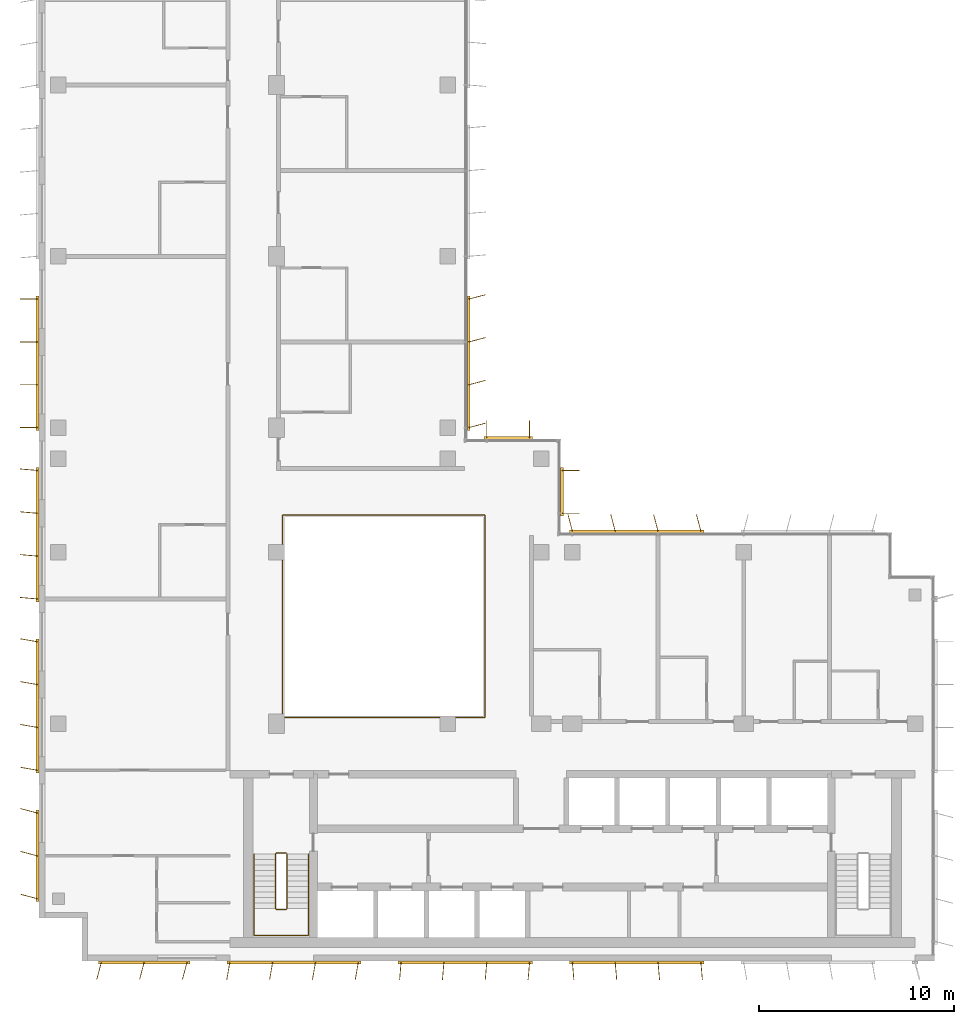
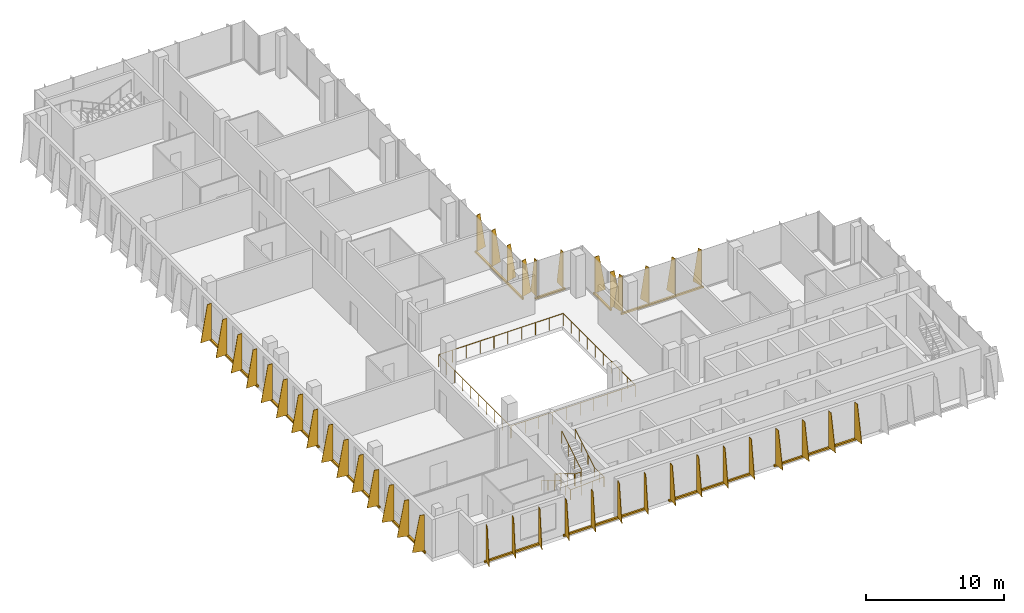
# One storey, part 13 of 15: 12 shading devices, 3 railings.
"""IFC4 building model written with IfcOpenShell, lengths in metres."""

from ifc_helpers import new_model, si_unit, direction, frame, origin, origin_2d, place, context, subcontext, project, spatial, polyline, rectangle, circle, outline, extrude, source, transform, mapped, material, layer, layer_set, type_object, element, save


model = new_model("IFC4")

# Units and contexts
model_context = context("Model", 3, precision=1e-05, world=origin(), true_north=direction((0.0, 1.0)))
body_context = subcontext(model_context, "Body", "Model", "MODEL_VIEW")
ifc_project = project(units=[si_unit("LENGTHUNIT", "METRE"), si_unit("AREAUNIT", "SQUARE_METRE"), si_unit("VOLUMEUNIT", "CUBIC_METRE"), si_unit("PLANEANGLEUNIT", "RADIAN"), si_unit("MASSUNIT", "GRAM", prefix="KILO")], contexts=[model_context])

# Site, building, storey
site_placement = place(None, origin())
site = spatial("IfcSite", under=ifc_project, at=site_placement, CompositionType="ELEMENT")
building_placement = place(site_placement, origin())
building = spatial("IfcBuilding", under=site, at=building_placement, Name="Kemantara Hotel Tower", CompositionType="ELEMENT")
storey_placement = place(building_placement, frame((0.0, 0.0, 294.39990234375)))
storey = spatial("IfcBuildingStorey", under=building, at=storey_placement, Name="L74", CompositionType="ELEMENT", Elevation=294.39990234375)

# Railings
ifc_material_1 = material(Name="Stainless steel and laminated glass balustrade", Category="steel")
railing_type_1 = type_object("IfcRailingType", Name="ATRIUM GUARD 1100", PredefinedType="GUARDRAIL", material=ifc_material_1)
railing_1_placement = place(storey_placement, frame((12.56005859375, 12.5, 0.0)))
element("IfcRailing", 1, at=railing_1_placement, inside=storey, type_object=railing_type_1, Name="ATRIUM GUARD L74", PredefinedType="GUARDRAIL", context=body_context, shape_type="SweptSolid", body=[
    extrude(circle(Radius=0.02490234375, at=origin_2d()), frame((0.0, 0.0, 1.0751953125), z_axis=(1.0, 0.0, 0.0), x_axis=(0.0, 1.0, 0.0)), (0.0, 0.0, 1.0), 10.33984375),
    extrude(circle(Radius=0.02490234375, at=origin_2d()), frame((10.33984375, 0.0, 1.0751953125), z_axis=(0.0, 1.0, 0.0), x_axis=(-1.0, 0.0, 0.0)), (0.0, 0.0, 1.0), 10.39990234375),
    extrude(circle(Radius=0.02490234375, at=origin_2d()), frame((10.33984375, 10.39990234375, 1.0751953125), z_axis=(-1.0, 0.0, 0.0), x_axis=(0.0, -1.0, 0.0)), (0.0, 0.0, 1.0), 10.39990234375),
    extrude(circle(Radius=0.02490234375, at=origin_2d()), frame((-0.06005859375, 10.39990234375, 1.0751953125), z_axis=(0.0, -1.0, 0.0), x_axis=(1.0, 0.0, 0.0)), (0.0, 0.0, 1.0), 10.39990234375),
    extrude(circle(Radius=0.02001953125, at=origin_2d()), origin(), (0.0, 0.0, 1.0), 1.050048828125),
    extrude(circle(Radius=0.02001953125, at=origin_2d()), frame((1.14892578125, 0.0, 0.0)), (0.0, 0.0, 1.0), 1.050048828125),
    extrude(circle(Radius=0.02001953125, at=origin_2d()), frame((2.2978515625, 0.0, 0.0)), (0.0, 0.0, 1.0), 1.050048828125),
    extrude(circle(Radius=0.02001953125, at=origin_2d()), frame((3.446533203125, 0.0, 0.0)), (0.0, 0.0, 1.0), 1.050048828125),
    extrude(circle(Radius=0.02001953125, at=origin_2d()), frame((4.595458984375, 0.0, 0.0)), (0.0, 0.0, 1.0), 1.050048828125),
    extrude(circle(Radius=0.02001953125, at=origin_2d()), frame((5.744384765625, 0.0, 0.0)), (0.0, 0.0, 1.0), 1.050048828125),
    extrude(circle(Radius=0.02001953125, at=origin_2d()), frame((6.893310546875, 0.0, 0.0)), (0.0, 0.0, 1.0), 1.050048828125),
    extrude(circle(Radius=0.02001953125, at=origin_2d()), frame((8.0419921875, 0.0, 0.0)), (0.0, 0.0, 1.0), 1.050048828125),
    extrude(circle(Radius=0.02001953125, at=origin_2d()), frame((9.19091796875, 0.0, 0.0)), (0.0, 0.0, 1.0), 1.050048828125),
    extrude(circle(Radius=0.02001953125, at=origin_2d()), frame((10.33984375, 0.0, 0.0)), (0.0, 0.0, 1.0), 1.050048828125),
    extrude(circle(Radius=0.02001953125, at=origin_2d()), frame((10.33984375, 1.155517578125, 0.0)), (0.0, 0.0, 1.0), 1.050048828125),
    extrude(circle(Radius=0.02001953125, at=origin_2d()), frame((10.33984375, 2.31103515625, 0.0)), (0.0, 0.0, 1.0), 1.050048828125),
    extrude(circle(Radius=0.02001953125, at=origin_2d()), frame((10.33984375, 3.466552734375, 0.0)), (0.0, 0.0, 1.0), 1.050048828125),
    extrude(circle(Radius=0.02001953125, at=origin_2d()), frame((10.33984375, 4.6220703125, 0.0)), (0.0, 0.0, 1.0), 1.050048828125),
    extrude(circle(Radius=0.02001953125, at=origin_2d()), frame((10.33984375, 5.77783203125, 0.0)), (0.0, 0.0, 1.0), 1.050048828125),
    extrude(circle(Radius=0.02001953125, at=origin_2d()), frame((10.33984375, 6.933349609375, 0.0)), (0.0, 0.0, 1.0), 1.050048828125),
    extrude(circle(Radius=0.02001953125, at=origin_2d()), frame((10.33984375, 8.0888671875, 0.0)), (0.0, 0.0, 1.0), 1.050048828125),
    extrude(circle(Radius=0.02001953125, at=origin_2d()), frame((10.33984375, 9.244384765625, 0.0)), (0.0, 0.0, 1.0), 1.050048828125),
    extrude(circle(Radius=0.02001953125, at=origin_2d()), frame((10.33984375, 10.39990234375, 0.0)), (0.0, 0.0, 1.0), 1.050048828125),
    extrude(circle(Radius=0.02001953125, at=origin_2d()), frame((9.184326171875, 10.39990234375, 0.0)), (0.0, 0.0, 1.0), 1.050048828125),
    extrude(circle(Radius=0.02001953125, at=origin_2d()), frame((8.02880859375, 10.39990234375, 0.0)), (0.0, 0.0, 1.0), 1.050048828125),
    extrude(circle(Radius=0.02001953125, at=origin_2d()), frame((6.873291015625, 10.39990234375, 0.0)), (0.0, 0.0, 1.0), 1.050048828125),
    extrude(circle(Radius=0.02001953125, at=origin_2d()), frame((5.7177734375, 10.39990234375, 0.0)), (0.0, 0.0, 1.0), 1.050048828125),
    extrude(circle(Radius=0.02001953125, at=origin_2d()), frame((4.56201171875, 10.39990234375, 0.0)), (0.0, 0.0, 1.0), 1.050048828125),
    extrude(circle(Radius=0.02001953125, at=origin_2d()), frame((3.406494140625, 10.39990234375, 0.0)), (0.0, 0.0, 1.0), 1.050048828125),
    extrude(circle(Radius=0.02001953125, at=origin_2d()), frame((2.2509765625, 10.39990234375, 0.0)), (0.0, 0.0, 1.0), 1.050048828125),
    extrude(circle(Radius=0.02001953125, at=origin_2d()), frame((1.095458984375, 10.39990234375, 0.0)), (0.0, 0.0, 1.0), 1.050048828125),
    extrude(circle(Radius=0.02001953125, at=origin_2d()), frame((-0.06005859375, 10.39990234375, 0.0)), (0.0, 0.0, 1.0), 1.050048828125),
    extrude(circle(Radius=0.02001953125, at=origin_2d()), frame((-0.06005859375, 9.244384765625, 0.0)), (0.0, 0.0, 1.0), 1.050048828125),
    extrude(circle(Radius=0.02001953125, at=origin_2d()), frame((-0.06005859375, 8.0888671875, 0.0)), (0.0, 0.0, 1.0), 1.050048828125),
    extrude(circle(Radius=0.02001953125, at=origin_2d()), frame((-0.06005859375, 6.933349609375, 0.0)), (0.0, 0.0, 1.0), 1.050048828125),
    extrude(circle(Radius=0.02001953125, at=origin_2d()), frame((-0.06005859375, 5.77783203125, 0.0)), (0.0, 0.0, 1.0), 1.050048828125),
    extrude(circle(Radius=0.02001953125, at=origin_2d()), frame((-0.06005859375, 4.6220703125, 0.0)), (0.0, 0.0, 1.0), 1.050048828125),
    extrude(circle(Radius=0.02001953125, at=origin_2d()), frame((-0.06005859375, 3.466552734375, 0.0)), (0.0, 0.0, 1.0), 1.050048828125),
    extrude(circle(Radius=0.02001953125, at=origin_2d()), frame((-0.06005859375, 2.31103515625, 0.0)), (0.0, 0.0, 1.0), 1.050048828125),
    extrude(circle(Radius=0.02001953125, at=origin_2d()), frame((-0.06005859375, 1.155517578125, 0.0)), (0.0, 0.0, 1.0), 1.050048828125),
    extrude(circle(Radius=0.02001953125, at=origin_2d()), frame((-0.06005859375, 0.0, 0.0)), (0.0, 0.0, 1.0), 1.050048828125),
])
ifc_material_2 = material(Name="Stainless steel balustrade", Category="steel")
railing_type_2 = type_object("IfcRailingType", Name="Stair guard 1100 mm", PredefinedType="GUARDRAIL", material=ifc_material_2)
railing_2_placement = place(storey_placement, frame((12.75, 5.5, 3.7001953125)))
element("IfcRailing", 2, at=railing_2_placement, inside=storey, type_object=railing_type_2, Name="L74 ST1 stair guard 1", PredefinedType="GUARDRAIL", context=body_context, shape_type="SweptSolid", body=[
    extrude(circle(Radius=0.02392578125, at=origin_2d()), frame((0.0, 0.0, 1.076171875), z_axis=(0.0, -0.857242210791, -0.514913383045), x_axis=(1.0, 0.0, 0.0)), (0.0, 0.0, 1.0), 3.266357421875),
    extrude(circle(Radius=0.02392578125, at=origin_2d()), frame((0.0, -2.800048828125, -0.60595703125), z_axis=(-0.274243871929, -0.274243871929, -0.92172696468), x_axis=(0.707106781187, -0.707106781187, 0.0)), (0.0, 0.0, 1.0), 0.1826171875),
    extrude(circle(Radius=0.02392578125, at=origin_2d()), frame((-0.050048828125, -2.85009765625, -0.77392578125), z_axis=(-1.0, 0.0, 0.0), x_axis=(0.0, -1.0, 0.0)), (0.0, 0.0, 1.0), 0.5),
    extrude(circle(Radius=0.02392578125, at=origin_2d()), frame((-0.550048828125, -2.85009765625, -0.77392578125), z_axis=(-0.707106781187, 0.707106781187, 0.0), x_axis=(-0.707106781187, -0.707106781187, 0.0)), (0.0, 0.0, 1.0), 0.07080078125),
    extrude(circle(Radius=0.02392578125, at=origin_2d()), frame((-0.60009765625, -2.800048828125, -0.77392578125), z_axis=(0.0, 0.857242210791, -0.514913383045), x_axis=(-1.0, 0.0, 0.0)), (0.0, 0.0, 1.0), 3.266357421875),
    extrude(circle(Radius=0.02392578125, at=origin_2d()), frame((-0.60009765625, 0.0, -2.4560546875), z_axis=(0.274243871929, 0.274243871929, -0.92172696468), x_axis=(-0.707106781187, 0.707106781187, 0.0)), (0.0, 0.0, 1.0), 0.1826171875),
    extrude(circle(Radius=0.02392578125, at=origin_2d()), frame((-0.550048828125, 0.050048828125, -2.6240234375), z_axis=(1.0, 0.0, 0.0), x_axis=(0.0, 1.0, 0.0)), (0.0, 0.0, 1.0), 0.5),
    extrude(circle(Radius=0.02099609375, at=origin_2d()), origin(), (0.0, 0.0, 1.0), 1.052001953125),
    extrude(circle(Radius=0.02099609375, at=origin_2d()), frame((0.0, -0.933349609375, -0.560546875)), (0.0, 0.0, 1.0), 1.052001953125),
    extrude(circle(Radius=0.02099609375, at=origin_2d()), frame((0.0, -1.86669921875, -1.121337890625)), (0.0, 0.0, 1.0), 1.052001953125),
    extrude(circle(Radius=0.02099609375, at=origin_2d()), frame((0.0, -2.800048828125, -1.681884765625)), (0.0, 0.0, 1.0), 1.052001953125),
    extrude(circle(Radius=0.02099609375, at=origin_2d()), frame((-0.050048828125, -2.85009765625, -1.85009765625)), (0.0, 0.0, 1.0), 1.052001953125),
    extrude(circle(Radius=0.02099609375, at=origin_2d()), frame((-0.550048828125, -2.85009765625, -1.85009765625)), (0.0, 0.0, 1.0), 1.052001953125),
    extrude(circle(Radius=0.02099609375, at=origin_2d()), frame((-0.60009765625, -2.800048828125, -1.85009765625)), (0.0, 0.0, 1.0), 1.052001953125),
    extrude(circle(Radius=0.02099609375, at=origin_2d()), frame((-0.60009765625, -1.86669921875, -2.41064453125)), (0.0, 0.0, 1.0), 1.052001953125),
    extrude(circle(Radius=0.02099609375, at=origin_2d()), frame((-0.60009765625, -0.933349609375, -2.971435546875)), (0.0, 0.0, 1.0), 1.052001953125),
    extrude(circle(Radius=0.02099609375, at=origin_2d()), frame((-0.60009765625, 0.0, -3.531982421875)), (0.0, 0.0, 1.0), 1.052001953125),
    extrude(circle(Radius=0.02099609375, at=origin_2d()), frame((-0.550048828125, 0.050048828125, -3.7001953125)), (0.0, 0.0, 1.0), 1.052001953125),
    extrude(circle(Radius=0.02099609375, at=origin_2d()), frame((-0.050048828125, 0.050048828125, -3.7001953125)), (0.0, 0.0, 1.0), 1.052001953125),
])
railing_type_3 = type_object("IfcRailingType", Name="Stair handrail 900 mm", PredefinedType="HANDRAIL", material=ifc_material_2)
railing_3_placement = place(storey_placement, frame((11.050048828125, 5.5, 0.168212890625)))
element("IfcRailing", 3, at=railing_3_placement, inside=storey, type_object=railing_type_3, Name="L74 ST1 stair handrail 1", PredefinedType="HANDRAIL", context=body_context, shape_type="SweptSolid", body=[
    extrude(circle(Radius=0.02392578125, at=origin_2d()), frame((0.0, 0.0, 0.8759765625), z_axis=(0.0, -0.857242210791, 0.514913383045), x_axis=(1.0, 0.0, 0.0)), (0.0, 0.0, 1.0), 3.266357421875),
    extrude(circle(Radius=0.02392578125, at=origin_2d()), frame((0.0, -2.800048828125, 2.5576171875), z_axis=(0.0, -1.0, 0.0), x_axis=(1.0, 0.0, 0.0)), (0.0, 0.0, 1.0), 1.3798828125),
    extrude(circle(Radius=0.02392578125, at=origin_2d()), frame((0.0, -4.179931640625, 2.5576171875), z_axis=(0.998200367801, 0.0, 0.059966871865), x_axis=(0.0, 1.0, 0.0)), (0.0, 0.0, 1.0), 2.80517578125),
    extrude(circle(Radius=0.02392578125, at=origin_2d()), frame((2.800048828125, -4.179931640625, 2.72607421875), z_axis=(0.0, 1.0, 0.0), x_axis=(-1.0, 0.0, 0.0)), (0.0, 0.0, 1.0), 1.3798828125),
    extrude(circle(Radius=0.02392578125, at=origin_2d()), frame((2.800048828125, -2.800048828125, 2.72607421875), z_axis=(0.0, 0.857242210791, 0.514913383045), x_axis=(-1.0, 0.0, 0.0)), (0.0, 0.0, 1.0), 3.266357421875),
    extrude(circle(Radius=0.02099609375, at=origin_2d()), origin(), (0.0, 0.0, 1.0), 0.851806640625),
    extrude(circle(Radius=0.02099609375, at=origin_2d()), frame((0.0, -0.933349609375, 0.560546875)), (0.0, 0.0, 1.0), 0.851806640625),
    extrude(circle(Radius=0.02099609375, at=origin_2d()), frame((0.0, -1.86669921875, 1.121337890625)), (0.0, 0.0, 1.0), 0.851806640625),
    extrude(circle(Radius=0.02099609375, at=origin_2d()), frame((0.0, -2.800048828125, 1.681884765625)), (0.0, 0.0, 1.0), 0.851806640625),
    extrude(circle(Radius=0.02099609375, at=origin_2d()), frame((0.0, -3.489990234375, 1.681884765625)), (0.0, 0.0, 1.0), 0.851806640625),
    extrude(circle(Radius=0.02099609375, at=origin_2d()), frame((0.0, -4.179931640625, 1.681884765625)), (0.0, 0.0, 1.0), 0.851806640625),
    extrude(circle(Radius=0.02099609375, at=origin_2d()), frame((0.933349609375, -4.179931640625, 1.738037109375)), (0.0, 0.0, 1.0), 0.851806640625),
    extrude(circle(Radius=0.02099609375, at=origin_2d()), frame((1.86669921875, -4.179931640625, 1.7939453125)), (0.0, 0.0, 1.0), 0.851806640625),
    extrude(circle(Radius=0.02099609375, at=origin_2d()), frame((2.800048828125, -4.179931640625, 1.85009765625)), (0.0, 0.0, 1.0), 0.851806640625),
    extrude(circle(Radius=0.02099609375, at=origin_2d()), frame((2.800048828125, -3.489990234375, 1.85009765625)), (0.0, 0.0, 1.0), 0.851806640625),
    extrude(circle(Radius=0.02099609375, at=origin_2d()), frame((2.800048828125, -2.800048828125, 1.85009765625)), (0.0, 0.0, 1.0), 0.851806640625),
    extrude(circle(Radius=0.02099609375, at=origin_2d()), frame((2.800048828125, -1.86669921875, 2.41064453125)), (0.0, 0.0, 1.0), 0.851806640625),
    extrude(circle(Radius=0.02099609375, at=origin_2d()), frame((2.800048828125, -0.933349609375, 2.971435546875)), (0.0, 0.0, 1.0), 0.851806640625),
    extrude(circle(Radius=0.02099609375, at=origin_2d()), frame((2.800048828125, 0.0, 3.531982421875)), (0.0, 0.0, 1.0), 0.851806640625),
])

# Shading devices
ifc_material_3 = material(Name="Perforated aluminium plate 4 mm bronze anodised", Category="aluminium")
ifc_layer_1 = layer(ifc_material_3, 0.0400390625)
ifc_layer_set_1 = layer_set([ifc_layer_1], Name="Perforated aluminium plate 4 mm bronze anodised")
shading_device_type_1 = type_object("IfcShadingDeviceType", Name="SCREEN FIN CASSETTE, 3 BLADES AT -15.0 DEG, 3200 HIGH", PredefinedType="USERDEFINED", material=ifc_layer_set_1)
shared_shape_1 = source(origin(), body_context, "Body", "SweptSolid", [
    extrude(rectangle(XDim=4.699951171875, YDim=0.14990234375, at=origin_2d()), frame((2.199951171875, -0.074951171875, -0.14990234375), z_axis=(0.0, 0.0, 1.0), x_axis=(1.0, 0.0, 0.0)), (0.0, 0.0, 1.0), 0.14990234375),
    extrude(outline(polyline([(0.0, 0.0), (0.89990234375, 0.0), (0.35009765625, 3.199951171875), (0.0, 3.199951171875), (0.0, 0.0)])), frame((0.019287109375, -0.080078125, 0.0), z_axis=(-0.966437683387, 0.256901156343, 0.0), x_axis=(-0.256901156343, -0.966437683387, 0.0)), (0.0, 0.0, 1.0), 0.039794921875),
    extrude(outline(polyline([(0.0, 0.0), (0.89990234375, 0.0), (0.35009765625, 3.199951171875), (0.0, 3.199951171875), (0.0, 0.0)])), frame((2.21923828125, -0.080078125, 0.0), z_axis=(-0.966437683387, 0.256901156343, 0.0), x_axis=(-0.256901156343, -0.966437683387, 0.0)), (0.0, 0.0, 1.0), 0.039794921875),
    extrude(outline(polyline([(0.0, 0.0), (0.89990234375, 0.0), (0.35009765625, 3.199951171875), (0.0, 3.199951171875), (0.0, 0.0)])), frame((4.41943359375, -0.080078125, 0.0), z_axis=(-0.966837822169, 0.255391122837, 0.0), x_axis=(-0.255391122837, -0.966837822169, 0.0)), (0.0, 0.0, 1.0), 0.0400390625),
])
for number, where, z_axis, x_axis, name in (
    (4, (0.0, 7.60009765625, 0.10009765625), (0.0, 0.0, 1.0), (0.0, -1.0, 0.0), "SCREEN FIN CASSETTE L74 T4-R05-7"),
    (5, (3.199951171875, 0.0, 0.10009765625), (0.0, 0.0, 1.0), (1.0, 0.0, 0.0), "SCREEN FIN CASSETTE L74 T4-R08-1"),
):
    element("IfcShadingDevice", number, at=place(storey_placement, frame(where, z_axis=z_axis, x_axis=x_axis)), inside=storey, type_object=shading_device_type_1, Name=name, ObjectType="SCREEN FIN", PredefinedType="USERDEFINED", context=body_context, shape_type="MappedRepresentation", body=[
        mapped(shared_shape_1, transform((0.0, 0.0, 0.0))),
    ])
ifc_layer_2 = layer(ifc_material_3, 0.0400390625)
ifc_layer_set_2 = layer_set([ifc_layer_2], Name="Perforated aluminium plate 4 mm bronze anodised")
shading_device_type_2 = type_object("IfcShadingDeviceType", Name="SCREEN FIN CASSETTE, 4 BLADES AT -10.0 DEG, 3200 HIGH", PredefinedType="USERDEFINED", material=ifc_layer_set_2)
shared_shape_2 = source(origin(), body_context, "Body", "SweptSolid", [
    extrude(rectangle(XDim=6.89990234375, YDim=0.14990234375, at=origin_2d()), frame((3.300048828125, -0.074951171875, -0.14990234375), z_axis=(0.0, 0.0, 1.0), x_axis=(1.0, 0.0, 0.0)), (0.0, 0.0, 1.0), 0.14990234375),
    extrude(outline(polyline([(0.0, 0.0), (0.89990234375, 0.0), (0.35009765625, 3.199951171875), (0.0, 3.199951171875), (0.0, 0.0)])), frame((0.019775390625, -0.078369140625, 0.0), z_axis=(-0.985389793052, 0.170314285219, 0.0), x_axis=(-0.170314285219, -0.985389793052, 0.0)), (0.0, 0.0, 1.0), 0.0400390625),
    extrude(outline(polyline([(0.0, 0.0), (0.89990234375, 0.0), (0.35009765625, 3.199951171875), (0.0, 3.199951171875), (0.0, 0.0)])), frame((2.2197265625, -0.078369140625, 0.0), z_axis=(-0.98521175482, 0.171341174751, 0.0), x_axis=(-0.171341174751, -0.98521175482, 0.0)), (0.0, 0.0, 1.0), 0.039794921875),
    extrude(outline(polyline([(0.0, 0.0), (0.89990234375, 0.0), (0.35009765625, 3.199951171875), (0.0, 3.199951171875), (0.0, 0.0)])), frame((4.419677734375, -0.078369140625, 0.0), z_axis=(-0.98521175482, 0.171341174751, 0.0), x_axis=(-0.171341174751, -0.98521175482, 0.0)), (0.0, 0.0, 1.0), 0.039794921875),
    extrude(outline(polyline([(0.0, 0.0), (0.89990234375, 0.0), (0.35009765625, 3.199951171875), (0.0, 3.199951171875), (0.0, 0.0)])), frame((6.61962890625, -0.078369140625, 0.0), z_axis=(-0.98521175482, 0.171341174751, 0.0), x_axis=(-0.171341174751, -0.98521175482, 0.0)), (0.0, 0.0, 1.0), 0.039794921875),
])
for number, where, z_axis, x_axis, name in (
    (6, (0.0, 16.39990234375, 0.10009765625), (0.0, 0.0, 1.0), (0.0, -1.0, 0.0), "SCREEN FIN CASSETTE L74 T4-R05-6"),
    (7, (9.800048828125, 0.0, 0.10009765625), (0.0, 0.0, 1.0), (1.0, 0.0, 0.0), "SCREEN FIN CASSETTE L74 T4-R08-2"),
):
    element("IfcShadingDevice", number, at=place(storey_placement, frame(where, z_axis=z_axis, x_axis=x_axis)), inside=storey, type_object=shading_device_type_2, Name=name, ObjectType="SCREEN FIN", PredefinedType="USERDEFINED", context=body_context, shape_type="MappedRepresentation", body=[
        mapped(shared_shape_2, transform((0.0, 0.0, 0.0))),
    ])
ifc_layer_3 = layer(ifc_material_3, 0.0400390625)
ifc_layer_set_3 = layer_set([ifc_layer_3], Name="Perforated aluminium plate 4 mm bronze anodised")
shading_device_type_3 = type_object("IfcShadingDeviceType", Name="SCREEN FIN CASSETTE, 4 BLADES AT -5.0 DEG, 3200 HIGH", PredefinedType="USERDEFINED", material=ifc_layer_set_3)
shared_shape_3 = source(origin(), body_context, "Body", "SweptSolid", [
    extrude(rectangle(XDim=6.89990234375, YDim=0.14990234375, at=origin_2d()), frame((3.300048828125, -0.074951171875, -0.14990234375), z_axis=(0.0, 0.0, 1.0), x_axis=(1.0, 0.0, 0.0)), (0.0, 0.0, 1.0), 0.14990234375),
    extrude(outline(polyline([(0.0, 0.0), (0.89990234375, 0.0), (0.35009765625, 3.199951171875), (0.0, 3.199951171875), (0.0, 0.0)])), frame((0.02001953125, -0.07666015625, 0.0), z_axis=(-0.996376129781, 0.085056498884, 0.0), x_axis=(-0.085056498884, -0.996376129781, 0.0)), (0.0, 0.0, 1.0), 0.040283203125),
    extrude(outline(polyline([(0.0, 0.0), (0.89990234375, 0.0), (0.35009765625, 3.199951171875), (0.0, 3.199951171875), (0.0, 0.0)])), frame((2.219970703125, -0.07666015625, 0.0), z_axis=(-0.996331773833, 0.085574508182, 0.0), x_axis=(-0.085574508182, -0.996331773833, 0.0)), (0.0, 0.0, 1.0), 0.0400390625),
    extrude(outline(polyline([(0.0, 0.0), (0.89990234375, 0.0), (0.35009765625, 3.199951171875), (0.0, 3.199951171875), (0.0, 0.0)])), frame((4.419921875, -0.07666015625, 0.0), z_axis=(-0.996331773833, 0.085574508182, 0.0), x_axis=(-0.085574508182, -0.996331773833, 0.0)), (0.0, 0.0, 1.0), 0.0400390625),
    extrude(outline(polyline([(0.0, 0.0), (0.89990234375, 0.0), (0.35009765625, 3.199951171875), (0.0, 3.199951171875), (0.0, 0.0)])), frame((6.619873046875, -0.07666015625, 0.0), z_axis=(-0.996331773833, 0.085574508182, 0.0), x_axis=(-0.085574508182, -0.996331773833, 0.0)), (0.0, 0.0, 1.0), 0.0400390625),
])
for number, where, z_axis, x_axis, name in (
    (8, (0.0, 25.199951171875, 0.10009765625), (0.0, 0.0, 1.0), (0.0, -1.0, 0.0), "SCREEN FIN CASSETTE L74 T4-R05-5"),
    (9, (18.60009765625, 0.0, 0.10009765625), (0.0, 0.0, 1.0), (1.0, 0.0, 0.0), "SCREEN FIN CASSETTE L74 T4-R08-3"),
):
    element("IfcShadingDevice", number, at=place(storey_placement, frame(where, z_axis=z_axis, x_axis=x_axis)), inside=storey, type_object=shading_device_type_3, Name=name, ObjectType="SCREEN FIN", PredefinedType="USERDEFINED", context=body_context, shape_type="MappedRepresentation", body=[
        mapped(shared_shape_3, transform((0.0, 0.0, 0.0))),
    ])
ifc_layer_4 = layer(ifc_material_3, 0.0400390625)
ifc_layer_set_4 = layer_set([ifc_layer_4], Name="Perforated aluminium plate 4 mm bronze anodised")
shading_device_type_4 = type_object("IfcShadingDeviceType", Name="SCREEN FIN CASSETTE, 4 BLADES AT +0.0 DEG, 3200 HIGH", PredefinedType="USERDEFINED", material=ifc_layer_set_4)
shared_shape_4 = source(origin(), body_context, "Body", "SweptSolid", [
    extrude(rectangle(XDim=6.89990234375, YDim=0.14990234375, at=origin_2d()), frame((3.300048828125, -0.074951171875, -0.14990234375), z_axis=(0.0, 0.0, 1.0), x_axis=(1.0, 0.0, 0.0)), (0.0, 0.0, 1.0), 0.14990234375),
    extrude(outline(polyline([(0.0, 0.0), (0.89990234375, 0.0), (0.35009765625, 3.199951171875), (0.0, 3.199951171875), (0.0, 0.0)])), frame((0.02001953125, -0.074951171875, 0.0), z_axis=(-1.0, 0.0, 0.0), x_axis=(0.0, -1.0, 0.0)), (0.0, 0.0, 1.0), 0.0400390625),
    extrude(outline(polyline([(0.0, 0.0), (0.89990234375, 0.0), (0.35009765625, 3.199951171875), (0.0, 3.199951171875), (0.0, 0.0)])), frame((2.219970703125, -0.074951171875, 0.0), z_axis=(-1.0, 0.0, 0.0), x_axis=(0.0, -1.0, 0.0)), (0.0, 0.0, 1.0), 0.0400390625),
    extrude(outline(polyline([(0.0, 0.0), (0.89990234375, 0.0), (0.35009765625, 3.199951171875), (0.0, 3.199951171875), (0.0, 0.0)])), frame((4.419921875, -0.074951171875, 0.0), z_axis=(-1.0, 0.0, 0.0), x_axis=(0.0, -1.0, 0.0)), (0.0, 0.0, 1.0), 0.0400390625),
    extrude(outline(polyline([(0.0, 0.0), (0.89990234375, 0.0), (0.35009765625, 3.199951171875), (0.0, 3.199951171875), (0.0, 0.0)])), frame((6.6201171875, -0.074951171875, 0.0), z_axis=(-1.0, 0.0, 0.0), x_axis=(0.0, -1.0, 0.0)), (0.0, 0.0, 1.0), 0.0400390625),
])
shading_device_1_placement = place(storey_placement, frame((0.0, 34.0, 0.10009765625), z_axis=(0.0, 0.0, 1.0), x_axis=(0.0, -1.0, 0.0)))
element("IfcShadingDevice", 10, at=shading_device_1_placement, inside=storey, type_object=shading_device_type_4, Name="SCREEN FIN CASSETTE L74 T4-R05-4", ObjectType="SCREEN FIN", PredefinedType="USERDEFINED", context=body_context, shape_type="MappedRepresentation", body=[
    mapped(shared_shape_4, transform((0.0, 0.0, 0.0))),
])
ifc_layer_5 = layer(ifc_material_3, 0.0400390625)
ifc_layer_set_5 = layer_set([ifc_layer_5], Name="Perforated aluminium plate 4 mm bronze anodised")
shading_device_type_5 = type_object("IfcShadingDeviceType", Name="SCREEN FIN CASSETTE, 4 BLADES AT +5.0 DEG, 3200 HIGH", PredefinedType="USERDEFINED", material=ifc_layer_set_5)
shared_shape_5 = source(origin(), body_context, "Body", "SweptSolid", [
    extrude(rectangle(XDim=6.89990234375, YDim=0.14990234375, at=origin_2d()), frame((3.300048828125, -0.074951171875, -0.14990234375), z_axis=(0.0, 0.0, 1.0), x_axis=(1.0, 0.0, 0.0)), (0.0, 0.0, 1.0), 0.14990234375),
    extrude(outline(polyline([(0.0, 0.0), (0.89990234375, 0.0), (0.35009765625, 3.199951171875), (0.0, 3.199951171875), (0.0, 0.0)])), frame((0.02001953125, -0.0732421875, 0.0), z_axis=(-0.996376129781, -0.085056498884, 0.0), x_axis=(0.085056498884, -0.996376129781, 0.0)), (0.0, 0.0, 1.0), 0.040283203125),
    extrude(outline(polyline([(0.0, 0.0), (0.89990234375, 0.0), (0.35009765625, 3.199951171875), (0.0, 3.199951171875), (0.0, 0.0)])), frame((2.219970703125, -0.0732421875, 0.0), z_axis=(-0.996331773833, -0.085574508182, 0.0), x_axis=(0.085574508182, -0.996331773833, 0.0)), (0.0, 0.0, 1.0), 0.0400390625),
    extrude(outline(polyline([(0.0, 0.0), (0.89990234375, 0.0), (0.35009765625, 3.199951171875), (0.0, 3.199951171875), (0.0, 0.0)])), frame((4.419921875, -0.0732421875, 0.0), z_axis=(-0.996331773833, -0.085574508182, 0.0), x_axis=(0.085574508182, -0.996331773833, 0.0)), (0.0, 0.0, 1.0), 0.0400390625),
    extrude(outline(polyline([(0.0, 0.0), (0.89990234375, 0.0), (0.35009765625, 3.199951171875), (0.0, 3.199951171875), (0.0, 0.0)])), frame((6.619873046875, -0.0732421875, 0.0), z_axis=(-0.996331773833, -0.085574508182, 0.0), x_axis=(0.085574508182, -0.996331773833, 0.0)), (0.0, 0.0, 1.0), 0.0400390625),
])
shading_device_2_placement = place(storey_placement, frame((27.39990234375, 0.0, 0.10009765625), z_axis=(0.0, 0.0, 1.0), x_axis=(1.0, 0.0, 0.0)))
element("IfcShadingDevice", 11, at=shading_device_2_placement, inside=storey, type_object=shading_device_type_5, Name="SCREEN FIN CASSETTE L74 T4-R08-4", ObjectType="SCREEN FIN", PredefinedType="USERDEFINED", context=body_context, shape_type="MappedRepresentation", body=[
    mapped(shared_shape_5, transform((0.0, 0.0, 0.0))),
])
ifc_layer_6 = layer(ifc_material_3, 0.0400390625)
ifc_layer_set_6 = layer_set([ifc_layer_6], Name="Perforated aluminium plate 4 mm bronze anodised")
shading_device_type_6 = type_object("IfcShadingDeviceType", Name="SCREEN FIN CASSETTE, 4 BLADES AT +15.0 DEG, 3200 HIGH", PredefinedType="USERDEFINED", material=ifc_layer_set_6)
shared_shape_6 = source(origin(), body_context, "Body", "SweptSolid", [
    extrude(rectangle(XDim=6.89990234375, YDim=0.14990234375, at=origin_2d()), frame((3.300048828125, -0.074951171875, -0.14990234375), z_axis=(0.0, 0.0, 1.0), x_axis=(1.0, 0.0, 0.0)), (0.0, 0.0, 1.0), 0.14990234375),
    extrude(outline(polyline([(0.0, 0.0), (0.89990234375, 0.0), (0.35009765625, 3.199951171875), (0.0, 3.199951171875), (0.0, 0.0)])), frame((0.019287109375, -0.06982421875, 0.0), z_axis=(-0.966437683387, -0.256901156343, 0.0), x_axis=(0.256901156343, -0.966437683387, 0.0)), (0.0, 0.0, 1.0), 0.039794921875),
    extrude(outline(polyline([(0.0, 0.0), (0.89990234375, 0.0), (0.35009765625, 3.199951171875), (0.0, 3.199951171875), (0.0, 0.0)])), frame((2.21923828125, -0.06982421875, 0.0), z_axis=(-0.966437683387, -0.256901156343, 0.0), x_axis=(0.256901156343, -0.966437683387, 0.0)), (0.0, 0.0, 1.0), 0.039794921875),
    extrude(outline(polyline([(0.0, 0.0), (0.89990234375, 0.0), (0.35009765625, 3.199951171875), (0.0, 3.199951171875), (0.0, 0.0)])), frame((4.41943359375, -0.06982421875, 0.0), z_axis=(-0.966837822169, -0.255391122837, 0.0), x_axis=(0.255391122837, -0.966837822169, 0.0)), (0.0, 0.0, 1.0), 0.0400390625),
    extrude(outline(polyline([(0.0, 0.0), (0.89990234375, 0.0), (0.35009765625, 3.199951171875), (0.0, 3.199951171875), (0.0, 0.0)])), frame((6.619384765625, -0.06982421875, 0.0), z_axis=(-0.966837822169, -0.255391122837, 0.0), x_axis=(0.255391122837, -0.966837822169, 0.0)), (0.0, 0.0, 1.0), 0.0400390625),
])
for number, where, z_axis, x_axis, name in (
    (12, (34.0, 22.0, 0.10009765625), (0.0, 0.0, 1.0), (-1.0, 0.0, 0.0), "SCREEN FIN CASSETTE L74 T4-R12-2"),
    (13, (22.0, 27.39990234375, 0.10009765625), (0.0, 0.0, 1.0), (0.0, 1.0, 0.0), "SCREEN FIN CASSETTE L74 T4-R15-1"),
):
    element("IfcShadingDevice", number, at=place(storey_placement, frame(where, z_axis=z_axis, x_axis=x_axis)), inside=storey, type_object=shading_device_type_6, Name=name, ObjectType="SCREEN FIN", PredefinedType="USERDEFINED", context=body_context, shape_type="MappedRepresentation", body=[
        mapped(shared_shape_6, transform((0.0, 0.0, 0.0))),
    ])
ifc_layer_7 = layer(ifc_material_3, 0.0400390625)
ifc_layer_set_7 = layer_set([ifc_layer_7], Name="Perforated aluminium plate 4 mm bronze anodised")
shading_device_type_7 = type_object("IfcShadingDeviceType", Name="SCREEN FIN CASSETTE, 2 BLADES AT +0.0 DEG, 3200 HIGH", PredefinedType="USERDEFINED", material=ifc_layer_set_7)
shared_shape_7 = source(origin(), body_context, "Body", "SweptSolid", [
    extrude(rectangle(XDim=2.5, YDim=0.14990234375, at=origin_2d()), frame((1.10009765625, -0.074951171875, -0.14990234375), z_axis=(0.0, 0.0, 1.0), x_axis=(1.0, 0.0, 0.0)), (0.0, 0.0, 1.0), 0.14990234375),
    extrude(outline(polyline([(0.0, 0.0), (0.89990234375, 0.0), (0.35009765625, 3.199951171875), (0.0, 3.199951171875), (0.0, 0.0)])), frame((0.02001953125, -0.074951171875, 0.0), z_axis=(-1.0, 0.0, 0.0), x_axis=(0.0, -1.0, 0.0)), (0.0, 0.0, 1.0), 0.0400390625),
    extrude(outline(polyline([(0.0, 0.0), (0.89990234375, 0.0), (0.35009765625, 3.199951171875), (0.0, 3.199951171875), (0.0, 0.0)])), frame((2.219970703125, -0.074951171875, 0.0), z_axis=(-1.0, 0.0, 0.0), x_axis=(0.0, -1.0, 0.0)), (0.0, 0.0, 1.0), 0.0400390625),
])
for number, where, z_axis, x_axis, name in (
    (14, (26.800048828125, 23.0, 0.10009765625), (0.0, 0.0, 1.0), (0.0, 1.0, 0.0), "SCREEN FIN CASSETTE L74 T4-R13-1"),
    (15, (25.199951171875, 26.800048828125, 0.10009765625), (0.0, 0.0, 1.0), (-1.0, 0.0, 0.0), "SCREEN FIN CASSETTE L74 T4-R14-1"),
):
    element("IfcShadingDevice", number, at=place(storey_placement, frame(where, z_axis=z_axis, x_axis=x_axis)), inside=storey, type_object=shading_device_type_7, Name=name, ObjectType="SCREEN FIN", PredefinedType="USERDEFINED", context=body_context, shape_type="MappedRepresentation", body=[
        mapped(shared_shape_7, transform((0.0, 0.0, 0.0))),
    ])

save(model, "model.ifc")
